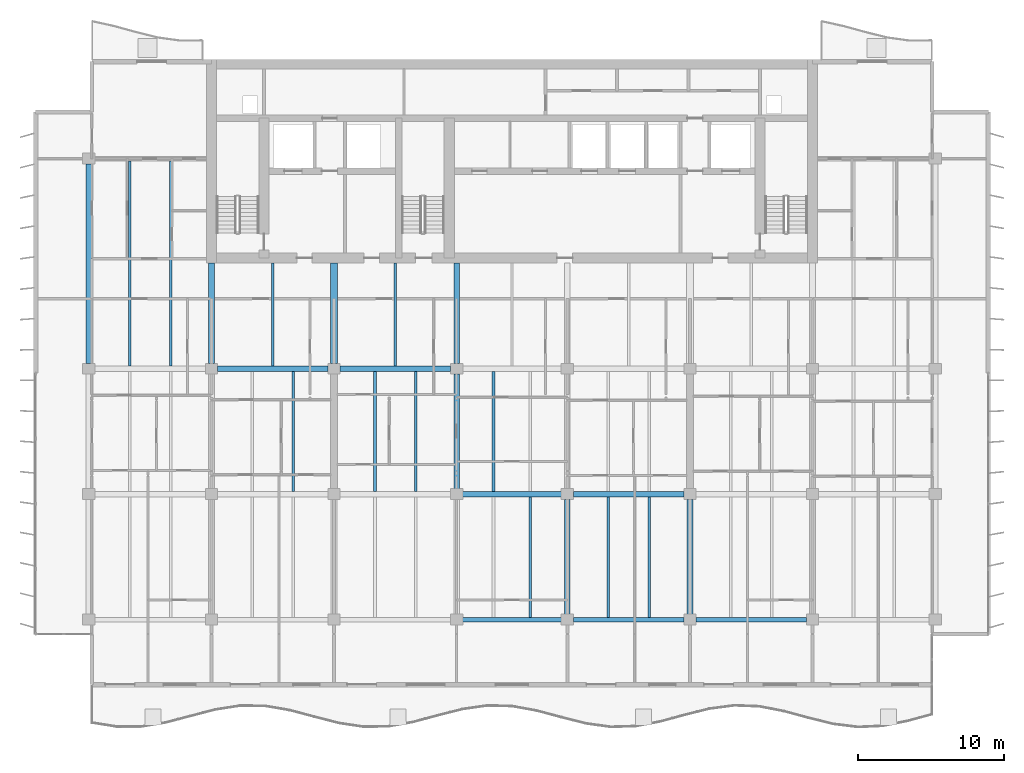
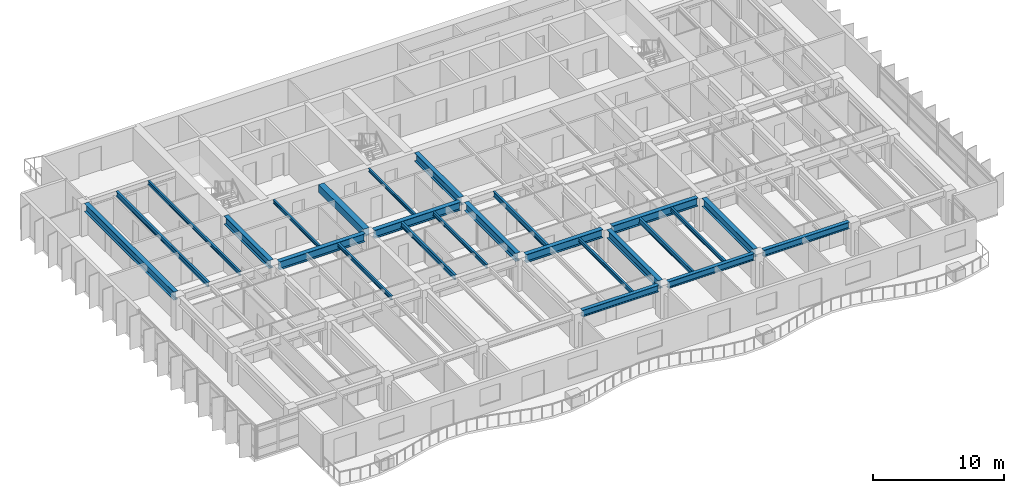
# One storey, part 3 of 19: 25 beams.
"""IFC4 building model written with IfcOpenShell, lengths in metres."""

from ifc_helpers import new_model, si_unit, direction, frame, origin, origin_2d, place, context, subcontext, project, spatial, rectangle, i_section, extrude, material, material_profile, profile_set, type_object, element, save


model = new_model("IFC4")

# Units and contexts
model_context = context("Model", 3, precision=1e-05, world=origin(), true_north=direction((0.0, 1.0)))
body_context = subcontext(model_context, "Body", "Model", "MODEL_VIEW")
ifc_project = project(units=[si_unit("LENGTHUNIT", "METRE"), si_unit("AREAUNIT", "SQUARE_METRE"), si_unit("VOLUMEUNIT", "CUBIC_METRE"), si_unit("PLANEANGLEUNIT", "RADIAN"), si_unit("MASSUNIT", "GRAM", prefix="KILO")], contexts=[model_context])

# Site, building, storey
site_placement = place(None, origin())
site = spatial("IfcSite", under=ifc_project, at=site_placement, CompositionType="ELEMENT")
building_placement = place(site_placement, origin())
building = spatial("IfcBuilding", under=site, at=building_placement, Name="Caelmar Bay Residences", CompositionType="ELEMENT")
storey_placement = place(building_placement, frame((0.0, 0.0, 160.5)))
storey = spatial("IfcBuildingStorey", under=building, at=storey_placement, Name="L44", CompositionType="ELEMENT", Elevation=160.5)

# Beams
ifc_material_1 = material(Name="Steel ASTM A992 Grade 50", Category="steel")
ifc_material_profile_1 = material_profile(ifc_material_1, i_section(OverallWidth=0.381103515625, OverallDepth=0.77197265625, WebThickness=0.0166015625, FlangeThickness=0.027099609375, FilletRadius=0.0166015625, at=origin_2d()), Name="W30X173")
ifc_profile_set_1 = profile_set([ifc_material_profile_1], Name="Steel ASTM A992 Grade 50")
beam_type_1 = type_object("IfcBeamType", Name="BM-GRD-W30X173", PredefinedType="BEAM", material=ifc_profile_set_1)
beam_1_placement = place(storey_placement, frame((35.514892578125, 20.800048828125, 2.6640625), z_axis=(1.0, 0.0, 0.0), x_axis=(0.0, 1.0, 0.0)))
element("IfcBeam", 1, at=beam_1_placement, inside=storey, type_object=beam_type_1, Name="L44 East-West Girder Y=20.80 (35.1-42.7)", PredefinedType="BEAM", context=body_context, shape_type="SweptSolid", body=[
    extrude(i_section(OverallWidth=0.381103515625, OverallDepth=0.77197265625, WebThickness=0.0166015625, FlangeThickness=0.027099609375, FilletRadius=0.0166015625, at=origin_2d()), origin(), (0.0, 0.0, 1.0), 6.77001953125),
])
beam_2_placement = place(storey_placement, frame((43.114990234375, 20.800048828125, 2.6640625), z_axis=(1.0, 0.0, 0.0), x_axis=(0.0, 1.0, 0.0)))
element("IfcBeam", 2, at=beam_2_placement, inside=storey, type_object=beam_type_1, Name="L44 East-West Girder Y=20.80 (42.7-51.1)", PredefinedType="BEAM", context=body_context, shape_type="SweptSolid", body=[
    extrude(i_section(OverallWidth=0.381103515625, OverallDepth=0.77197265625, WebThickness=0.0166015625, FlangeThickness=0.027099609375, FilletRadius=0.0166015625, at=origin_2d()), origin(), (0.0, 0.0, 1.0), 7.570068359375),
])
beam_3_placement = place(storey_placement, frame((18.715087890625, 29.39990234375, 2.6640625), z_axis=(1.0, 0.0, 0.0), x_axis=(0.0, 1.0, 0.0)))
element("IfcBeam", 3, at=beam_3_placement, inside=storey, type_object=beam_type_1, Name="L44 East-West Girder Y=29.40 (18.3-26.7)", PredefinedType="BEAM", context=body_context, shape_type="SweptSolid", body=[
    extrude(i_section(OverallWidth=0.381103515625, OverallDepth=0.77197265625, WebThickness=0.0166015625, FlangeThickness=0.027099609375, FilletRadius=0.0166015625, at=origin_2d()), origin(), (0.0, 0.0, 1.0), 7.56982421875),
])
beam_4_placement = place(storey_placement, frame((27.114990234375, 29.39990234375, 2.6640625), z_axis=(1.0, 0.0, 0.0), x_axis=(0.0, 1.0, 0.0)))
element("IfcBeam", 4, at=beam_4_placement, inside=storey, type_object=beam_type_1, Name="L44 East-West Girder Y=29.40 (26.7-35.1)", PredefinedType="BEAM", context=body_context, shape_type="SweptSolid", body=[
    extrude(i_section(OverallWidth=0.381103515625, OverallDepth=0.77197265625, WebThickness=0.0166015625, FlangeThickness=0.027099609375, FilletRadius=0.0166015625, at=origin_2d()), origin(), (0.0, 0.0, 1.0), 7.570068359375),
])
beam_5_placement = place(storey_placement, frame((9.89990234375, 29.764892578125, 2.6640625), z_axis=(0.0, 1.0, 0.0), x_axis=(-1.0, 0.0, 0.0)))
element("IfcBeam", 5, at=beam_5_placement, inside=storey, type_object=beam_type_1, Name="L44 North-South Girder X=9.90 (29.4-43.8)", PredefinedType="BEAM", context=body_context, shape_type="SweptSolid", body=[
    extrude(i_section(OverallWidth=0.381103515625, OverallDepth=0.77197265625, WebThickness=0.0166015625, FlangeThickness=0.027099609375, FilletRadius=0.0166015625, at=origin_2d()), origin(), (0.0, 0.0, 1.0), 13.670166015625),
])
for number, where, z_axis, x_axis, name in (
    (6, (18.300048828125, 29.764892578125, 2.6640625), (0.0, 1.0, 0.0), (-1.0, 0.0, 0.0), "L44 Core Tie Girder X=18.30"),
    (7, (35.10009765625, 29.764892578125, 2.6640625), (0.0, 1.0, 0.0), (-1.0, 0.0, 0.0), "L44 Core Tie Girder X=35.10"),
):
    element("IfcBeam", number, at=place(storey_placement, frame(where, z_axis=z_axis, x_axis=x_axis)), inside=storey, type_object=beam_type_1, Name=name, PredefinedType="BEAM", context=body_context, shape_type="SweptSolid", body=[
        extrude(i_section(OverallWidth=0.381103515625, OverallDepth=0.77197265625, WebThickness=0.0166015625, FlangeThickness=0.027099609375, FilletRadius=0.0166015625, at=origin_2d()), origin(), (0.0, 0.0, 1.0), 6.885009765625),
    ])
beam_6_placement = place(storey_placement, frame((35.10009765625, 21.1650390625, 2.6640625), z_axis=(0.0, 1.0, 0.0), x_axis=(-1.0, 0.0, 0.0)))
element("IfcBeam", 8, at=beam_6_placement, inside=storey, type_object=beam_type_1, Name="L44 North-South Girder X=35.10 (20.8-29.4)", PredefinedType="BEAM", context=body_context, shape_type="SweptSolid", body=[
    extrude(i_section(OverallWidth=0.381103515625, OverallDepth=0.77197265625, WebThickness=0.0166015625, FlangeThickness=0.027099609375, FilletRadius=0.0166015625, at=origin_2d()), origin(), (0.0, 0.0, 1.0), 7.869873046875),
])
for number, where, z_axis, x_axis, name in (
    (9, (42.699951171875, 12.56494140625, 2.6640625), (0.0, 1.0, 0.0), (-1.0, 0.0, 0.0), "L44 North-South Girder X=42.70 (12.2-20.8)"),
    (10, (51.10009765625, 12.56494140625, 2.6640625), (0.0, 1.0, 0.0), (-1.0, 0.0, 0.0), "L44 North-South Girder X=51.10 (12.2-20.8)"),
):
    element("IfcBeam", number, at=place(storey_placement, frame(where, z_axis=z_axis, x_axis=x_axis)), inside=storey, type_object=beam_type_1, Name=name, PredefinedType="BEAM", context=body_context, shape_type="SweptSolid", body=[
        extrude(i_section(OverallWidth=0.381103515625, OverallDepth=0.77197265625, WebThickness=0.0166015625, FlangeThickness=0.027099609375, FilletRadius=0.0166015625, at=origin_2d()), origin(), (0.0, 0.0, 1.0), 7.8701171875),
    ])
ifc_material_profile_2 = material_profile(ifc_material_1, i_section(OverallWidth=0.1650390625, OverallDepth=0.31005859375, WebThickness=0.005859375, FlangeThickness=0.009765625, FilletRadius=0.007568359375, at=origin_2d()), Name="W12X26")
ifc_profile_set_2 = profile_set([ifc_material_profile_2], Name="Steel ASTM A992 Grade 50")
beam_type_2 = type_object("IfcBeamType", Name="BM-JST-W12X26", PredefinedType="JOIST", material=ifc_profile_set_2)
for number, where, z_axis, x_axis, name in (
    (11, (22.5, 29.590576171875, 2.89501953125), (0.0, 1.0, 0.0), (-1.0, 0.0, 0.0), "L44 Core-Band Composite Joist 29"),
    (12, (30.89990234375, 29.590576171875, 2.89501953125), (0.0, 1.0, 0.0), (-1.0, 0.0, 0.0), "L44 Core-Band Composite Joist 30"),
):
    element("IfcBeam", number, at=place(storey_placement, frame(where, z_axis=z_axis, x_axis=x_axis)), inside=storey, type_object=beam_type_2, Name=name, PredefinedType="JOIST", context=body_context, shape_type="SweptSolid", body=[
        extrude(i_section(OverallWidth=0.1650390625, OverallDepth=0.31005859375, WebThickness=0.005859375, FlangeThickness=0.009765625, FilletRadius=0.007568359375, at=origin_2d()), origin(), (0.0, 0.0, 1.0), 7.059326171875),
    ])
ifc_material_profile_3 = material_profile(ifc_material_1, i_section(OverallWidth=0.1708984375, OverallDepth=0.35595703125, WebThickness=0.007080078125, FlangeThickness=0.01171875, FilletRadius=0.007568359375, at=origin_2d()), Name="W14X34")
ifc_profile_set_3 = profile_set([ifc_material_profile_3], Name="Steel ASTM A992 Grade 50")
beam_type_3 = type_object("IfcBeamType", Name="BM-JST-W14X34", PredefinedType="JOIST", material=ifc_profile_set_3)
for number, where, z_axis, x_axis, name in (
    (13, (40.166748046875, 12.362548828125, 2.8720703125), (0.0, 1.0, 0.0), (-1.0, 0.0, 0.0), "L44 Composite Floor Joist 8"),
    (14, (48.300048828125, 12.362548828125, 2.8720703125), (0.0, 1.0, 0.0), (-1.0, 0.0, 0.0), "L44 Composite Floor Joist 10"),
):
    element("IfcBeam", number, at=place(storey_placement, frame(where, z_axis=z_axis, x_axis=x_axis)), inside=storey, type_object=beam_type_3, Name=name, PredefinedType="JOIST", context=body_context, shape_type="SweptSolid", body=[
        extrude(i_section(OverallWidth=0.1708984375, OverallDepth=0.35595703125, WebThickness=0.007080078125, FlangeThickness=0.01171875, FilletRadius=0.007568359375, at=origin_2d()), origin(), (0.0, 0.0, 1.0), 8.2470703125),
    ])
for number, where, z_axis, x_axis, name in (
    (15, (23.89990234375, 20.990478515625, 2.8720703125), (0.0, 1.0, 0.0), (-1.0, 0.0, 0.0), "L44 Composite Floor Joist 18"),
    (16, (32.300048828125, 20.990478515625, 2.8720703125), (0.0, 1.0, 0.0), (-1.0, 0.0, 0.0), "L44 Composite Floor Joist 20"),
):
    element("IfcBeam", number, at=place(storey_placement, frame(where, z_axis=z_axis, x_axis=x_axis)), inside=storey, type_object=beam_type_3, Name=name, PredefinedType="JOIST", context=body_context, shape_type="SweptSolid", body=[
        extrude(i_section(OverallWidth=0.1708984375, OverallDepth=0.35595703125, WebThickness=0.007080078125, FlangeThickness=0.01171875, FilletRadius=0.007568359375, at=origin_2d()), origin(), (0.0, 0.0, 1.0), 8.218994140625),
    ])
beam_7_placement = place(storey_placement, frame((15.5, 29.590576171875, 2.8720703125), z_axis=(0.0, 1.0, 0.0), x_axis=(-1.0, 0.0, 0.0)))
element("IfcBeam", 17, at=beam_7_placement, inside=storey, type_object=beam_type_3, Name="L44 Composite Floor Joist 35", PredefinedType="JOIST", context=body_context, shape_type="SweptSolid", body=[
    extrude(i_section(OverallWidth=0.1708984375, OverallDepth=0.35595703125, WebThickness=0.007080078125, FlangeThickness=0.01171875, FilletRadius=0.007568359375, at=origin_2d()), origin(), (0.0, 0.0, 1.0), 14.046875),
])
ifc_material_profile_4 = material_profile(ifc_material_1, i_section(OverallWidth=0.19091796875, OverallDepth=0.45703125, WebThickness=0.009033203125, FlangeThickness=0.014404296875, FilletRadius=0.01025390625, at=origin_2d()), Name="W18X50")
ifc_profile_set_4 = profile_set([ifc_material_profile_4], Name="Steel ASTM A992 Grade 50")
beam_type_4 = type_object("IfcBeamType", Name="BM-JST-W18X50", PredefinedType="JOIST", material=ifc_profile_set_4)
beam_8_placement = place(storey_placement, frame((45.5, 12.362548828125, 2.821533203125), z_axis=(0.0, 1.0, 0.0), x_axis=(-1.0, 0.0, 0.0)))
element("IfcBeam", 18, at=beam_8_placement, inside=storey, type_object=beam_type_4, Name="L44 Composite Floor Joist 9", PredefinedType="JOIST", context=body_context, shape_type="SweptSolid", body=[
    extrude(i_section(OverallWidth=0.19091796875, OverallDepth=0.45703125, WebThickness=0.009033203125, FlangeThickness=0.014404296875, FilletRadius=0.01025390625, at=origin_2d()), origin(), (0.0, 0.0, 1.0), 8.2470703125),
])
for number, where, z_axis, x_axis, name in (
    (19, (29.5, 20.990478515625, 2.821533203125), (0.0, 1.0, 0.0), (-1.0, 0.0, 0.0), "L44 Composite Floor Joist 19"),
    (20, (37.63330078125, 20.990478515625, 2.821533203125), (0.0, 1.0, 0.0), (-1.0, 0.0, 0.0), "L44 Composite Floor Joist 21"),
):
    element("IfcBeam", number, at=place(storey_placement, frame(where, z_axis=z_axis, x_axis=x_axis)), inside=storey, type_object=beam_type_4, Name=name, PredefinedType="JOIST", context=body_context, shape_type="SweptSolid", body=[
        extrude(i_section(OverallWidth=0.19091796875, OverallDepth=0.45703125, WebThickness=0.009033203125, FlangeThickness=0.014404296875, FilletRadius=0.01025390625, at=origin_2d()), origin(), (0.0, 0.0, 1.0), 8.218994140625),
    ])
beam_9_placement = place(storey_placement, frame((12.699951171875, 29.590576171875, 2.821533203125), z_axis=(0.0, 1.0, 0.0), x_axis=(-1.0, 0.0, 0.0)))
element("IfcBeam", 21, at=beam_9_placement, inside=storey, type_object=beam_type_4, Name="L44 Composite Floor Joist 34", PredefinedType="JOIST", context=body_context, shape_type="SweptSolid", body=[
    extrude(i_section(OverallWidth=0.19091796875, OverallDepth=0.45703125, WebThickness=0.009033203125, FlangeThickness=0.014404296875, FilletRadius=0.01025390625, at=origin_2d()), origin(), (0.0, 0.0, 1.0), 14.046875),
])
ifc_material_2 = material(Name="Concrete f'c 55 MPa (8,000 psi)", Category="concrete")
ifc_material_profile_5 = material_profile(ifc_material_2, rectangle(XDim=0.5, YDim=0.699951171875, at=origin_2d()), Name="RC-BM-500X700")
ifc_profile_set_5 = profile_set([ifc_material_profile_5], Name="Concrete f'c 55 MPa (8,000 psi)")
beam_type_5 = type_object("IfcBeamType", Name="BM-RC-500X700", PredefinedType="LINTEL", material=ifc_profile_set_5)
beam_10_placement = place(storey_placement, frame((26.699951171875, 29.764892578125, 2.699951171875), z_axis=(0.0, 1.0, 0.0), x_axis=(-1.0, 0.0, 0.0)))
element("IfcBeam", 22, at=beam_10_placement, inside=storey, type_object=beam_type_5, Name="L44 Shear-Wall Corridor Coupling Lintel W5", PredefinedType="LINTEL", context=body_context, shape_type="SweptSolid", body=[
    extrude(rectangle(XDim=0.5, YDim=0.699951171875, at=origin_2d()), origin(), (0.0, 0.0, 1.0), 6.885009765625),
])
ifc_material_profile_6 = material_profile(ifc_material_1, i_section(OverallWidth=0.324951171875, OverallDepth=0.616943359375, WebThickness=0.013916015625, FlangeThickness=0.021484375, FilletRadius=0.0126953125, at=origin_2d()), Name="W24X117")
ifc_profile_set_6 = profile_set([ifc_material_profile_6], Name="Steel ASTM A992 Grade 50")
beam_type_6 = type_object("IfcBeamType", Name="BM-SPN-W24X117", PredefinedType="SPANDREL", material=ifc_profile_set_6)
beam_11_placement = place(storey_placement, frame((35.514892578125, 12.199951171875, 2.741455078125), z_axis=(1.0, 0.0, 0.0), x_axis=(0.0, 1.0, 0.0)))
element("IfcBeam", 23, at=beam_11_placement, inside=storey, type_object=beam_type_6, Name="L44 East-West Girder Y=12.20 (35.1-42.7)", PredefinedType="SPANDREL", context=body_context, shape_type="SweptSolid", body=[
    extrude(i_section(OverallWidth=0.324951171875, OverallDepth=0.616943359375, WebThickness=0.013916015625, FlangeThickness=0.021484375, FilletRadius=0.0126953125, at=origin_2d()), origin(), (0.0, 0.0, 1.0), 6.77001953125),
])
for number, where, z_axis, x_axis, name in (
    (24, (43.114990234375, 12.199951171875, 2.741455078125), (1.0, 0.0, 0.0), (0.0, 1.0, 0.0), "L44 East-West Girder Y=12.20 (42.7-51.1)"),
    (25, (51.514892578125, 12.199951171875, 2.741455078125), (1.0, 0.0, 0.0), (0.0, 1.0, 0.0), "L44 East-West Girder Y=12.20 (51.1-59.5)"),
):
    element("IfcBeam", number, at=place(storey_placement, frame(where, z_axis=z_axis, x_axis=x_axis)), inside=storey, type_object=beam_type_6, Name=name, PredefinedType="SPANDREL", context=body_context, shape_type="SweptSolid", body=[
        extrude(i_section(OverallWidth=0.324951171875, OverallDepth=0.616943359375, WebThickness=0.013916015625, FlangeThickness=0.021484375, FilletRadius=0.0126953125, at=origin_2d()), origin(), (0.0, 0.0, 1.0), 7.570068359375),
    ])

save(model, "model.ifc")
